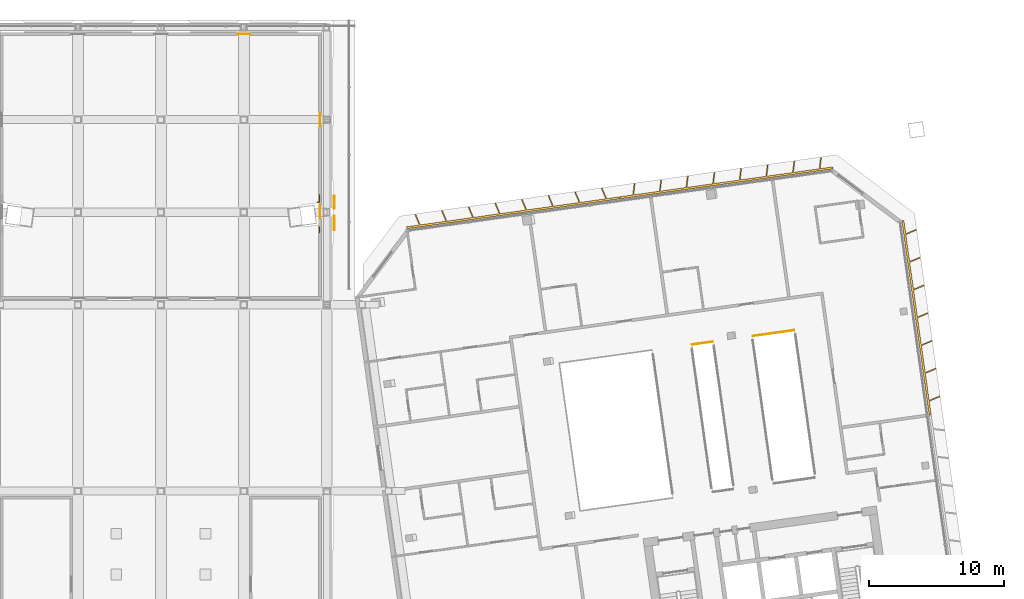
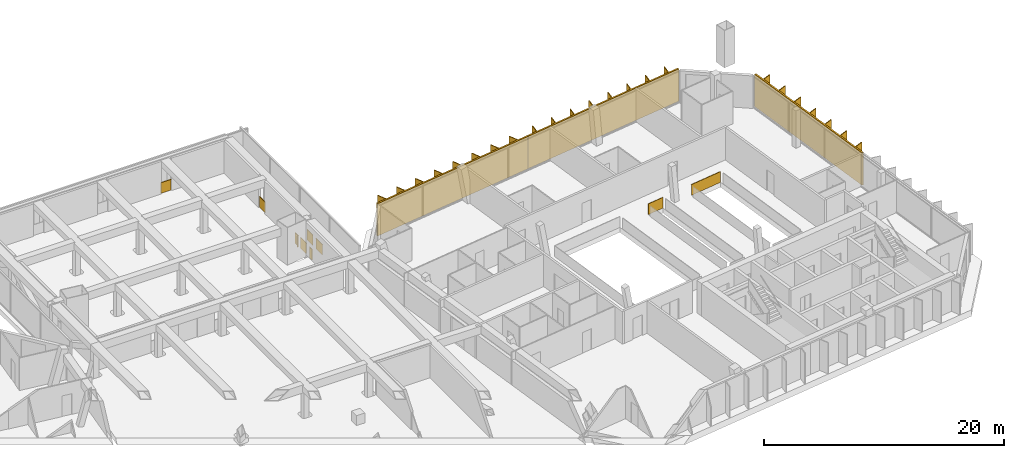
# One storey, part 29 of 30: 9 railings, 3 shading devices.
"""IFC4 building model written with IfcOpenShell, lengths in metres."""

from ifc_helpers import new_model, si_unit, direction, frame, origin, origin_2d, place, context, subcontext, project, spatial, polyline, rectangle, outline, extrude, material, type_object, element, save


model = new_model("IFC4")

# Units and contexts
model_context = context("Model", 3, precision=1e-05, world=origin(), true_north=direction((0.0, 1.0)))
body_context = subcontext(model_context, "Body", "Model", "MODEL_VIEW")
ifc_project = project(units=[si_unit("LENGTHUNIT", "METRE"), si_unit("AREAUNIT", "SQUARE_METRE"), si_unit("VOLUMEUNIT", "CUBIC_METRE"), si_unit("PLANEANGLEUNIT", "RADIAN"), si_unit("MASSUNIT", "GRAM", prefix="KILO")], contexts=[model_context])

# Site, building, storey
site_placement = place(None, origin())
site = spatial("IfcSite", under=ifc_project, at=site_placement, CompositionType="ELEMENT")
building_placement = place(site_placement, origin())
building = spatial("IfcBuilding", under=site, at=building_placement, Name="Mirante Cascada Hotel Towers", CompositionType="ELEMENT")
storey_placement = place(building_placement, frame((0.0, 0.0, 258.4)))
storey = spatial("IfcBuildingStorey", under=building, at=storey_placement, Name="L62", CompositionType="ELEMENT", Elevation=258.4)

# Railings
ifc_material_1 = material(Name="Toughened glass with stainless steel handrail", Category="steel")
railing_type_1 = type_object("IfcRailingType", Name="Atrium guard 1100 glass balustrade", PredefinedType="GUARDRAIL", material=ifc_material_1)
railing_1_placement = place(storey_placement, frame((40.7464, 7.185, 0.0)))
element("IfcRailing", 1, at=railing_1_placement, inside=storey, type_object=railing_type_1, Name="GUARD 2-L62-3", PredefinedType="GUARDRAIL", context=body_context, shape_type="SweptSolid", body=[
    extrude(rectangle(XDim=0.048, YDim=0.048, at=origin_2d()), frame((0.0, 0.0, 1.076), z_axis=(-0.9902703, -0.1391573, 0.0), x_axis=(0.1391573, -0.9902703, 0.0)), (0.0, 0.0, 1.0), 1.54),
    extrude(rectangle(XDim=0.02, YDim=1.052, at=origin_2d()), frame((0.0, 0.0, 0.526), z_axis=(-0.9902703, -0.1391573, 0.0), x_axis=(0.1391573, -0.9902703, 0.0)), (0.0, 0.0, 1.0), 1.54),
])
railing_2_placement = place(storey_placement, frame((46.7275, 8.0256, 0.0)))
element("IfcRailing", 2, at=railing_2_placement, inside=storey, type_object=railing_type_1, Name="GUARD 2-L62-5", PredefinedType="GUARDRAIL", context=body_context, shape_type="SweptSolid", body=[
    extrude(rectangle(XDim=0.048, YDim=0.048, at=origin_2d()), frame((0.0, 0.0, 1.076), z_axis=(0.9901485, 0.140021, 0.0), x_axis=(-0.140021, 0.9901485, 0.0)), (0.0, 0.0, 1.0), 0.04),
    extrude(rectangle(XDim=0.02, YDim=1.052, at=origin_2d()), frame((0.0, 0.0, 0.526), z_axis=(0.9901485, 0.140021, 0.0), x_axis=(-0.140021, 0.9901485, 0.0)), (0.0, 0.0, 1.0), 0.04),
    extrude(rectangle(XDim=0.048, YDim=0.048, at=origin_2d()), frame((0.0396, 0.0056, 1.076), z_axis=(-0.9902652, -0.1391936, 0.0), x_axis=(0.1391936, -0.9902652, 0.0)), (0.0, 0.0, 1.0), 3.0799),
    extrude(rectangle(XDim=0.02, YDim=1.052, at=origin_2d()), frame((0.0396, 0.0056, 0.526), z_axis=(-0.9902652, -0.1391936, 0.0), x_axis=(0.1391936, -0.9902652, 0.0)), (0.0, 0.0, 1.0), 3.0799),
])
ifc_material_2 = material(Name="Toughened glass", Category="glass")
railing_type_2 = type_object("IfcRailingType", Name="Deck column opening guard 1100 glass balustrade", PredefinedType="GUARDRAIL", material=ifc_material_2)
railing_3_placement = place(storey_placement, frame((11.7014, 18.0484, 0.0)))
element("IfcRailing", 3, at=railing_3_placement, inside=storey, type_object=railing_type_2, Name="Column opening guard L62 5", PredefinedType="GUARDRAIL", context=body_context, shape_type="SweptSolid", body=[
    extrude(rectangle(XDim=0.048, YDim=0.048, at=origin_2d()), frame((0.0, 0.0, 1.076), z_axis=(0.0, -1.0, 0.0), x_axis=(1.0, 0.0, 0.0)), (0.0, 0.0, 1.0), 0.5554),
    extrude(rectangle(XDim=0.02, YDim=1.052, at=origin_2d()), frame((0.0, 0.0, 0.526), z_axis=(0.0, -1.0, 0.0), x_axis=(1.0, 0.0, 0.0)), (0.0, 0.0, 1.0), 0.5554),
    extrude(rectangle(XDim=0.048, YDim=0.048, at=origin_2d()), frame((0.0, -0.5554, 1.076), z_axis=(-0.9903323, -0.1387155, 0.0), x_axis=(0.1387155, -0.9903323, 0.0)), (0.0, 0.0, 1.0), 0.1449),
    extrude(rectangle(XDim=0.02, YDim=1.052, at=origin_2d()), frame((0.0, -0.5554, 0.526), z_axis=(-0.9903323, -0.1387155, 0.0), x_axis=(0.1387155, -0.9903323, 0.0)), (0.0, 0.0, 1.0), 0.1449),
])
railing_4_placement = place(storey_placement, frame((11.7014, 15.6658, 0.0)))
element("IfcRailing", 4, at=railing_4_placement, inside=storey, type_object=railing_type_2, Name="Column opening guard L62 6", PredefinedType="GUARDRAIL", context=body_context, shape_type="SweptSolid", body=[
    extrude(rectangle(XDim=0.048, YDim=0.048, at=origin_2d()), frame((0.0, 0.0, 1.076), z_axis=(0.0, -1.0, 0.0), x_axis=(1.0, 0.0, 0.0)), (0.0, 0.0, 1.0), 0.4449),
    extrude(rectangle(XDim=0.02, YDim=1.052, at=origin_2d()), frame((0.0, 0.0, 0.526), z_axis=(0.0, -1.0, 0.0), x_axis=(1.0, 0.0, 0.0)), (0.0, 0.0, 1.0), 0.4449),
])
railing_5_placement = place(storey_placement, frame((12.8014, 15.3967, 0.0)))
element("IfcRailing", 5, at=railing_5_placement, inside=storey, type_object=railing_type_2, Name="Column opening guard L62 7", PredefinedType="GUARDRAIL", context=body_context, shape_type="SweptSolid", body=[
    extrude(rectangle(XDim=0.048, YDim=0.048, at=origin_2d()), frame((0.0, 0.0, 1.076), z_axis=(0.0, 1.0, 0.0), x_axis=(-1.0, 0.0, 0.0)), (0.0, 0.0, 1.0), 1.1008),
    extrude(rectangle(XDim=0.02, YDim=1.052, at=origin_2d()), frame((0.0, 0.0, 0.526), z_axis=(0.0, 1.0, 0.0), x_axis=(-1.0, 0.0, 0.0)), (0.0, 0.0, 1.0), 1.1008),
])
railing_6_placement = place(storey_placement, frame((12.8014, 16.9975, 0.0)))
element("IfcRailing", 6, at=railing_6_placement, inside=storey, type_object=railing_type_2, Name="Column opening guard L62 8", PredefinedType="GUARDRAIL", context=body_context, shape_type="SweptSolid", body=[
    extrude(rectangle(XDim=0.048, YDim=0.048, at=origin_2d()), frame((0.0, 0.0, 1.076), z_axis=(0.0, 1.0, 0.0), x_axis=(-1.0, 0.0, 0.0)), (0.0, 0.0, 1.0), 0.9639),
    extrude(rectangle(XDim=0.02, YDim=1.052, at=origin_2d()), frame((0.0, 0.0, 0.526), z_axis=(0.0, 1.0, 0.0), x_axis=(-1.0, 0.0, 0.0)), (0.0, 0.0, 1.0), 0.9639),
])
ifc_material_3 = material(Name="Toughened glass", Category="glass")
railing_type_3 = type_object("IfcRailingType", Name="Truss bay glazed screen 1100", PredefinedType="GUARDRAIL", material=ifc_material_3)
railing_7_placement = place(storey_placement, frame((5.63, 29.91, 0.0)))
element("IfcRailing", 7, at=railing_7_placement, inside=storey, type_object=railing_type_3, Name="Truss bay glazed screen L62 6", PredefinedType="GUARDRAIL", context=body_context, shape_type="SweptSolid", body=[
    extrude(rectangle(XDim=0.048, YDim=0.048, at=origin_2d()), frame((0.0, 0.0, 1.076), z_axis=(1.0, 0.0, 0.0), x_axis=(0.0, 1.0, 0.0)), (0.0, 0.0, 1.0), 1.0),
    extrude(rectangle(XDim=0.02, YDim=1.052, at=origin_2d()), frame((0.0, 0.0, 0.526), z_axis=(1.0, 0.0, 0.0), x_axis=(0.0, 1.0, 0.0)), (0.0, 0.0, 1.0), 1.0),
])
for number, where, name in (
    (8, (11.75, 16.25, 0.0), "Truss bay glazed screen L62 9"),
    (9, (11.75, 23.08, 0.0), "Truss bay glazed screen L62 10"),
):
    element("IfcRailing", number, at=place(storey_placement, frame(where)), inside=storey, type_object=railing_type_3, Name=name, PredefinedType="GUARDRAIL", context=body_context, shape_type="SweptSolid", body=[
        extrude(rectangle(XDim=0.048, YDim=0.048, at=origin_2d()), frame((0.0, 0.0, 1.076), z_axis=(0.0, 1.0, 0.0), x_axis=(-1.0, 0.0, 0.0)), (0.0, 0.0, 1.0), 1.0),
        extrude(rectangle(XDim=0.02, YDim=1.052, at=origin_2d()), frame((0.0, 0.0, 0.526), z_axis=(0.0, 1.0, 0.0), x_axis=(-1.0, 0.0, 0.0)), (0.0, 0.0, 1.0), 1.0),
    ])

# Shading devices
ifc_material_4 = material(Name="White precast concrete C50/60 fin", Category="concrete")
shading_device_type = type_object("IfcShadingDeviceType", Name="Vertical fin set 4500x900", PredefinedType="USERDEFINED", material=ifc_material_4)
shading_device_1_placement = place(storey_placement, origin())
element("IfcShadingDevice", 10, at=shading_device_1_placement, inside=storey, type_object=shading_device_type, Name="FIN T2 L62 front 1", ObjectType="FIN", PredefinedType="USERDEFINED", context=body_context, shape_type="SweptSolid", body=[
    extrude(outline(polyline([(35.0205, 18.8607), (34.9184, 18.0294), (36.8033, 18.2943), (36.908, 19.1469), (36.9874, 19.1371), (36.8853, 18.3059), (38.7702, 18.5708), (38.8749, 19.4233), (38.9543, 19.4136), (38.8522, 18.5823), (40.7371, 18.8472), (40.8418, 19.6997), (40.9212, 19.69), (40.8191, 18.8587), (42.704, 19.1236), (42.8087, 19.9762), (42.8881, 19.9664), (42.786, 19.1352), (44.6709, 19.4001), (44.7756, 20.2526), (44.855, 20.2429), (44.7529, 19.4116), (46.6378, 19.6765), (46.7425, 20.529), (46.8219, 20.5193), (46.7198, 19.688), (48.6047, 19.9529), (48.7094, 20.8055), (48.7888, 20.7957), (48.6867, 19.9644), (49.6159, 20.095), (49.6367, 19.9465), (33.9015, 17.735), (33.8807, 17.8836), (34.8364, 18.0179), (34.941, 18.8705), (35.0205, 18.8607)])), origin(), (0.0, 0.0, 1.0), 3.3),
])
shading_device_2_placement = place(storey_placement, origin())
element("IfcShadingDevice", 11, at=shading_device_2_placement, inside=storey, type_object=shading_device_type, Name="FIN T2 L62 front 2", ObjectType="FIN", PredefinedType="USERDEFINED", context=body_context, shape_type="SweptSolid", body=[
    extrude(outline(polyline([(18.821, 16.6049), (19.1566, 15.8143), (21.0415, 16.0792), (20.7143, 16.8501), (20.7879, 16.8814), (21.1235, 16.0907), (23.0084, 16.3556), (22.6812, 17.1265), (22.7548, 17.1578), (23.0904, 16.3671), (24.9753, 16.632), (24.6481, 17.403), (24.7217, 17.4342), (25.0573, 16.6436), (26.9422, 16.9085), (26.615, 17.6794), (26.6886, 17.7107), (27.0242, 16.92), (28.9091, 17.1849), (28.5819, 17.9558), (28.6555, 17.9871), (28.9911, 17.1964), (30.876, 17.4613), (30.5488, 18.2323), (30.6224, 18.2635), (30.958, 17.4728), (32.8429, 17.7377), (32.5157, 18.5087), (32.5893, 18.5399), (32.925, 17.7493), (33.8807, 17.8836), (33.9015, 17.735), (18.1663, 15.5236), (18.1455, 15.6722), (19.0746, 15.8027), (18.7474, 16.5737), (18.821, 16.6049)])), origin(), (0.0, 0.0, 1.0), 3.3),
])
shading_device_3_placement = place(storey_placement, origin())
element("IfcShadingDevice", 12, at=shading_device_3_placement, inside=storey, type_object=shading_device_type, Name="FIN T2 L62 outer 2", ObjectType="FIN", PredefinedType="USERDEFINED", context=body_context, shape_type="SweptSolid", body=[
    extrude(outline(polyline([(57.5362, 3.1121), (56.7455, 2.7764), (56.8858, 1.7785), (56.7372, 1.7577), (54.7192, 16.1166), (54.8678, 16.1374), (55.0043, 15.1661), (55.7752, 15.4933), (55.8065, 15.4197), (55.0158, 15.0841), (55.2926, 13.1148), (56.0635, 13.4421), (56.0948, 13.3684), (55.3041, 13.0328), (55.5809, 11.0635), (56.3518, 11.3908), (56.3831, 11.3171), (55.5924, 10.9815), (55.8691, 9.0123), (56.6401, 9.3395), (56.6713, 9.2659), (55.8807, 8.9303), (56.1574, 6.961), (56.9284, 7.2882), (56.9596, 7.2146), (56.169, 6.879), (56.4457, 4.9097), (57.2167, 5.237), (57.2479, 5.1633), (56.4572, 4.8277), (56.734, 2.8585), (57.5049, 3.1857), (57.5362, 3.1121)])), origin(), (0.0, 0.0, 1.0), 3.3),
])

save(model, "model.ifc")
